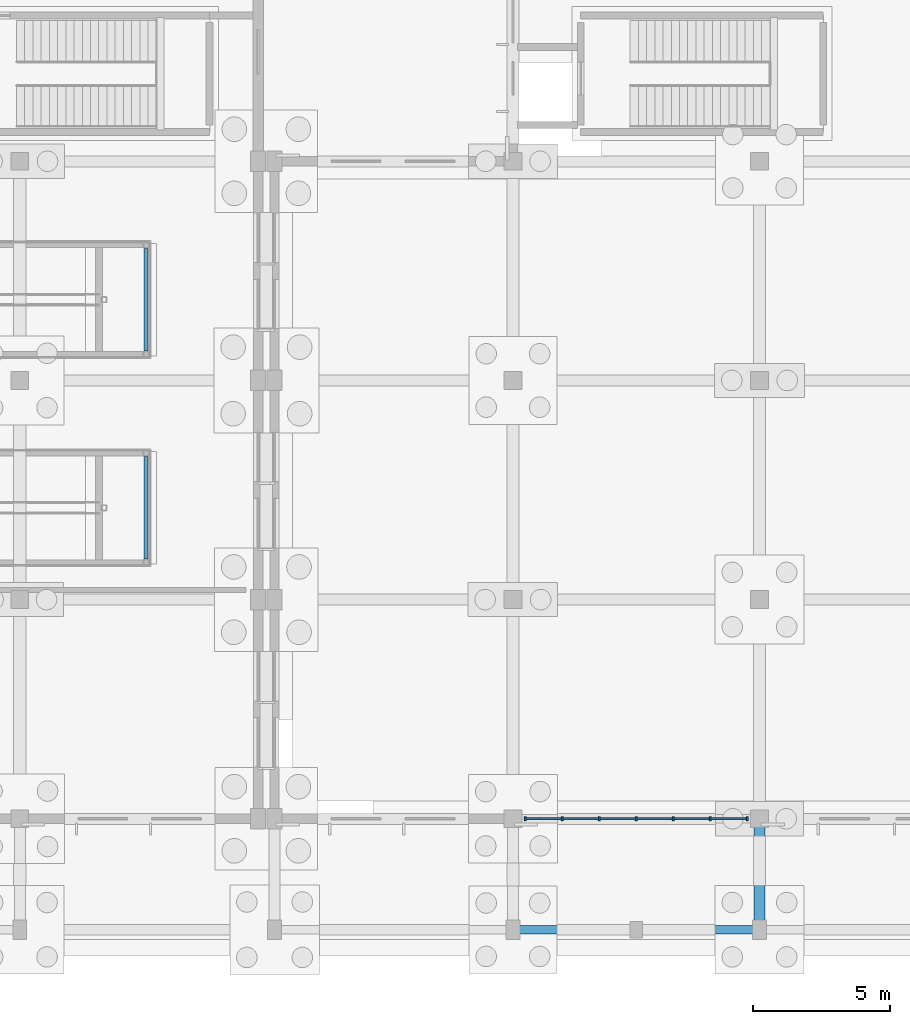
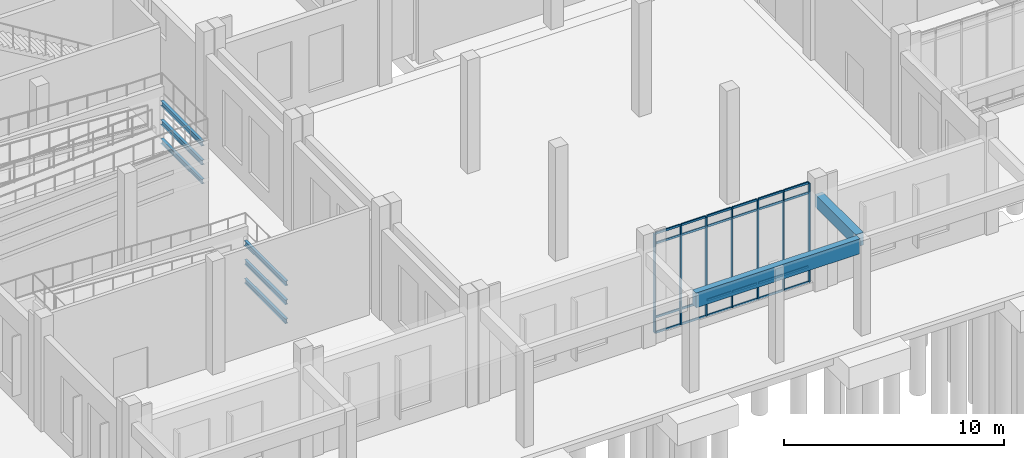
# One storey, part 38 of 99: 31 members, 8 beams, 1 element without a shape of its own.
"""IFC4 building model written with IfcOpenShell, lengths in metres."""

from ifc_helpers import new_model, si_unit, direction, frame, origin, origin_2d, place, context, subcontext, project, spatial, rectangle, i_section, extrude, material, layer, layer_set, material_profile, profile_set, type_object, element, aggregate, save


model = new_model("IFC4")

# Units and contexts
model_context = context("Model", 3, precision=1e-05, world=origin(), true_north=direction((0.0, 1.0)))
body_context = subcontext(model_context, "Body", "Model", "MODEL_VIEW")
ifc_project = project(units=[si_unit("LENGTHUNIT", "METRE"), si_unit("AREAUNIT", "SQUARE_METRE"), si_unit("VOLUMEUNIT", "CUBIC_METRE"), si_unit("PLANEANGLEUNIT", "RADIAN"), si_unit("MASSUNIT", "GRAM", prefix="KILO")], contexts=[model_context])

# Site, building, storey
site_placement = place(None, origin())
site = spatial("IfcSite", under=ifc_project, at=site_placement, CompositionType="ELEMENT")
building_placement = place(site_placement, origin())
building = spatial("IfcBuilding", under=site, at=building_placement, Name="Zacnel Wholesale Market", CompositionType="ELEMENT")
storey_placement = place(building_placement, origin())
storey = spatial("IfcBuildingStorey", under=building, at=storey_placement, Name="L01", CompositionType="ELEMENT", Elevation=0.0)

# Beams
ifc_material_1 = material(Name="Precast concrete C45/55", Category="concrete")
ifc_material_profile_1 = material_profile(ifc_material_1, rectangle(XDim=0.39990234375, YDim=0.699951171875, at=origin_2d()), Name="PG 400x700")
ifc_profile_set_1 = profile_set([ifc_material_profile_1], Name="Precast concrete C45/55")
beam_type_1 = type_object("IfcBeamType", Name="BM-PG700", PredefinedType="BEAM", material=ifc_profile_set_1)
beam_1_placement = place(storey_placement, frame((90.0, -3.830078125, 4.925048828125), z_axis=(0.0, 1.0, 0.0), x_axis=(-1.0, 0.0, 0.0)))
element("IfcBeam", 1, at=beam_1_placement, inside=storey, type_object=beam_type_1, Name="Boulevard colonnade cross-beam 05", PredefinedType="BEAM", context=body_context, shape_type="SweptSolid", body=[
    extrude(rectangle(XDim=0.39990234375, YDim=0.699951171875, at=origin_2d()), origin(), (0.0, 0.0, 1.0), 3.7099609375),
])
ifc_material_2 = material(Name="Precast concrete C45/55", Category="concrete")
ifc_material_profile_2 = material_profile(ifc_material_2, rectangle(XDim=0.320068359375, YDim=0.820068359375, at=origin_2d()), Name="SP 320x820")
ifc_profile_set_2 = profile_set([ifc_material_profile_2], Name="Precast concrete C45/55")
beam_type_2 = type_object("IfcBeamType", Name="BM-SP820", PredefinedType="SPANDREL", material=ifc_profile_set_2)
beam_2_placement = place(storey_placement, frame((81.199951171875, -4.050048828125, 4.864990234375), z_axis=(1.0, 0.0, 0.0), x_axis=(0.0, 1.0, 0.0)))
element("IfcBeam", 2, at=beam_2_placement, inside=storey, type_object=beam_type_2, Name="Boulevard colonnade architrave 04", PredefinedType="SPANDREL", context=body_context, shape_type="SweptSolid", body=[
    extrude(rectangle(XDim=0.320068359375, YDim=0.820068359375, at=origin_2d()), origin(), (0.0, 0.0, 1.0), 8.60009765625),
])
ifc_material_3 = material(Name="Steel S355", Category="steel")
ifc_material_profile_3 = material_profile(ifc_material_3, i_section(OverallWidth=0.14599609375, OverallDepth=0.258056640625, WebThickness=0.006103515625, FlangeThickness=0.009033203125, FilletRadius=0.009033203125, at=origin_2d()), Name="W250X32.7")
ifc_profile_set_3 = profile_set([ifc_material_profile_3], Name="Steel S355")
beam_type_3 = type_object("IfcBeamType", Name="BM-STL-W250", PredefinedType="JOIST", material=ifc_profile_set_3)
for number, where, z_axis, x_axis, name in (
    (3, (67.612060546875, 9.47998046875, 0.179931640625), (0.0, 1.0, 0.0), (-1.0, 0.0, 0.0), "Accessible ramp RP-03 (RMP-PROM-1A) landing edge beam 1"),
    (4, (67.612060546875, 9.47998046875, 1.22998046875), (0.0, 1.0, 0.0), (-1.0, 0.0, 0.0), "Accessible ramp RP-03 (RMP-PROM-1A) landing edge beam 3"),
    (5, (67.612060546875, 9.47998046875, 2.280029296875), (0.0, 1.0, 0.0), (-1.0, 0.0, 0.0), "Accessible ramp RP-03 (RMP-PROM-1A) landing edge beam 5"),
    (6, (67.612060546875, 17.080078125, 3.330078125), (0.0, 1.0, 0.0), (-1.0, 0.0, 0.0), "Accessible ramp RP-03 (RMP-PROM-1B) landing edge beam 1"),
    (7, (67.612060546875, 17.080078125, 4.3798828125), (0.0, 1.0, 0.0), (-1.0, 0.0, 0.0), "Accessible ramp RP-03 (RMP-PROM-1B) landing edge beam 3"),
    (8, (67.612060546875, 17.080078125, 5.429931640625), (0.0, 1.0, 0.0), (-1.0, 0.0, 0.0), "Accessible ramp RP-03 (RMP-PROM-1B) landing edge beam 5"),
):
    element("IfcBeam", number, at=place(storey_placement, frame(where, z_axis=z_axis, x_axis=x_axis)), inside=storey, type_object=beam_type_3, Name=name, PredefinedType="JOIST", context=body_context, shape_type="SweptSolid", body=[
        extrude(i_section(OverallWidth=0.14599609375, OverallDepth=0.258056640625, WebThickness=0.006103515625, FlangeThickness=0.009033203125, FilletRadius=0.009033203125, at=origin_2d()), origin(), (0.0, 0.0, 1.0), 3.739990234375),
    ])

# Curtain wall, members
ifc_material_4 = material(Name="Anodised aluminium", Category="aluminium")
ifc_layer = layer(ifc_material_4, 0.159912109375)
ifc_layer_set = layer_set([ifc_layer], Name="Anodised aluminium")
curtain_wall_type = type_object("IfcCurtainWallType", Name="CW-TERR-3900", PredefinedType="NOTDEFINED", material=ifc_layer_set)
curtain_wall_placement = place(storey_placement, origin())
curtain_wall = element("IfcCurtainWall", 9, at=curtain_wall_placement, inside=storey, type_object=curtain_wall_type, Name="Curtain wall ENV-R2-CW-L01-001", PredefinedType="NOTDEFINED")
ifc_material_5 = material(Name="Anodised aluminium", Category="aluminium")
ifc_material_profile_4 = material_profile(ifc_material_5, rectangle(XDim=0.06494140625, YDim=0.14990234375, at=origin_2d()), Name="AW-MULLION 65x150")
ifc_profile_set_4 = profile_set([ifc_material_profile_4], Name="Anodised aluminium")
member_type_1 = type_object("IfcMemberType", Name="CWM-MUL-05", PredefinedType="MULLION", material=ifc_profile_set_4)
member_1_placement = place(storey_placement, frame((81.449951171875, 0.0, 0.449951171875), z_axis=(0.0, 0.0, 1.0), x_axis=(1.0, 0.0, 0.0)))
member_1 = element("IfcMember", 10, at=member_1_placement, type_object=member_type_1, Name="ENV-R2-CW-L01-001 mullion 01", PredefinedType="MULLION", context=body_context, shape_type="SweptSolid", body=[
    extrude(rectangle(XDim=0.06494140625, YDim=0.14990234375, at=origin_2d()), origin(), (0.0, 0.0, 1.0), 5.5),
])
member_2_placement = place(storey_placement, frame((82.800048828125, 0.0, 0.449951171875), z_axis=(0.0, 0.0, 1.0), x_axis=(1.0, 0.0, 0.0)))
member_2 = element("IfcMember", 11, at=member_2_placement, type_object=member_type_1, Name="ENV-R2-CW-L01-001 mullion 02", PredefinedType="MULLION", context=body_context, shape_type="SweptSolid", body=[
    extrude(rectangle(XDim=0.06494140625, YDim=0.14990234375, at=origin_2d()), origin(), (0.0, 0.0, 1.0), 5.5),
])
member_3_placement = place(storey_placement, frame((84.14990234375, 0.0, 0.449951171875), z_axis=(0.0, 0.0, 1.0), x_axis=(1.0, 0.0, 0.0)))
member_3 = element("IfcMember", 12, at=member_3_placement, type_object=member_type_1, Name="ENV-R2-CW-L01-001 mullion 03", PredefinedType="MULLION", context=body_context, shape_type="SweptSolid", body=[
    extrude(rectangle(XDim=0.06494140625, YDim=0.14990234375, at=origin_2d()), origin(), (0.0, 0.0, 1.0), 5.5),
])
member_4_placement = place(storey_placement, frame((85.5, 0.0, 0.449951171875), z_axis=(0.0, 0.0, 1.0), x_axis=(1.0, 0.0, 0.0)))
member_4 = element("IfcMember", 13, at=member_4_placement, type_object=member_type_1, Name="ENV-R2-CW-L01-001 mullion 04", PredefinedType="MULLION", context=body_context, shape_type="SweptSolid", body=[
    extrude(rectangle(XDim=0.06494140625, YDim=0.14990234375, at=origin_2d()), origin(), (0.0, 0.0, 1.0), 5.5),
])
member_5_placement = place(storey_placement, frame((86.85009765625, 0.0, 0.449951171875), z_axis=(0.0, 0.0, 1.0), x_axis=(1.0, 0.0, 0.0)))
member_5 = element("IfcMember", 14, at=member_5_placement, type_object=member_type_1, Name="ENV-R2-CW-L01-001 mullion 05", PredefinedType="MULLION", context=body_context, shape_type="SweptSolid", body=[
    extrude(rectangle(XDim=0.06494140625, YDim=0.14990234375, at=origin_2d()), origin(), (0.0, 0.0, 1.0), 5.5),
])
member_6_placement = place(storey_placement, frame((88.199951171875, 0.0, 0.449951171875), z_axis=(0.0, 0.0, 1.0), x_axis=(1.0, 0.0, 0.0)))
member_6 = element("IfcMember", 15, at=member_6_placement, type_object=member_type_1, Name="ENV-R2-CW-L01-001 mullion 06", PredefinedType="MULLION", context=body_context, shape_type="SweptSolid", body=[
    extrude(rectangle(XDim=0.06494140625, YDim=0.14990234375, at=origin_2d()), origin(), (0.0, 0.0, 1.0), 5.5),
])
member_7_placement = place(storey_placement, frame((89.550048828125, 0.0, 0.449951171875), z_axis=(0.0, 0.0, 1.0), x_axis=(1.0, 0.0, 0.0)))
member_7 = element("IfcMember", 16, at=member_7_placement, type_object=member_type_1, Name="ENV-R2-CW-L01-001 mullion 07", PredefinedType="MULLION", context=body_context, shape_type="SweptSolid", body=[
    extrude(rectangle(XDim=0.06494140625, YDim=0.14990234375, at=origin_2d()), origin(), (0.0, 0.0, 1.0), 5.5),
])
ifc_material_6 = material(Name="Anodised aluminium", Category="aluminium")
ifc_material_profile_5 = material_profile(ifc_material_6, rectangle(XDim=0.06494140625, YDim=0.114990234375, at=origin_2d()), Name="AW-TRANSOM 65x115")
ifc_profile_set_5 = profile_set([ifc_material_profile_5], Name="Anodised aluminium")
member_type_2 = type_object("IfcMemberType", Name="CWM-TRN-05", PredefinedType="USERDEFINED", material=ifc_profile_set_5)
member_8_placement = place(storey_placement, frame((81.485107421875, 0.0, 0.449951171875), z_axis=(1.0, 0.0, 0.0), x_axis=(0.0, 1.0, 0.0)))
member_8 = element("IfcMember", 17, at=member_8_placement, type_object=member_type_2, Name="ENV-R2-CW-L01-001 transom 1-1", ObjectType="TRANSOM", PredefinedType="USERDEFINED", context=body_context, shape_type="SweptSolid", body=[
    extrude(rectangle(XDim=0.06494140625, YDim=0.114990234375, at=origin_2d()), origin(), (0.0, 0.0, 1.0), 1.27978515625),
])
member_9_placement = place(storey_placement, frame((81.485107421875, 0.0, 1.300048828125), z_axis=(1.0, 0.0, 0.0), x_axis=(0.0, 1.0, 0.0)))
member_9 = element("IfcMember", 18, at=member_9_placement, type_object=member_type_2, Name="ENV-R2-CW-L01-001 transom 1-2", ObjectType="TRANSOM", PredefinedType="USERDEFINED", context=body_context, shape_type="SweptSolid", body=[
    extrude(rectangle(XDim=0.06494140625, YDim=0.114990234375, at=origin_2d()), origin(), (0.0, 0.0, 1.0), 1.27978515625),
])
member_10_placement = place(storey_placement, frame((81.485107421875, 0.0, 5.39990234375), z_axis=(1.0, 0.0, 0.0), x_axis=(0.0, 1.0, 0.0)))
member_10 = element("IfcMember", 19, at=member_10_placement, type_object=member_type_2, Name="ENV-R2-CW-L01-001 transom 1-3", ObjectType="TRANSOM", PredefinedType="USERDEFINED", context=body_context, shape_type="SweptSolid", body=[
    extrude(rectangle(XDim=0.06494140625, YDim=0.114990234375, at=origin_2d()), origin(), (0.0, 0.0, 1.0), 1.27978515625),
])
member_11_placement = place(storey_placement, frame((81.485107421875, 0.0, 5.949951171875), z_axis=(1.0, 0.0, 0.0), x_axis=(0.0, 1.0, 0.0)))
member_11 = element("IfcMember", 20, at=member_11_placement, type_object=member_type_2, Name="ENV-R2-CW-L01-001 transom 1-4", ObjectType="TRANSOM", PredefinedType="USERDEFINED", context=body_context, shape_type="SweptSolid", body=[
    extrude(rectangle(XDim=0.06494140625, YDim=0.114990234375, at=origin_2d()), origin(), (0.0, 0.0, 1.0), 1.27978515625),
])
member_12_placement = place(storey_placement, frame((82.8349609375, 0.0, 0.449951171875), z_axis=(1.0, 0.0, 0.0), x_axis=(0.0, 1.0, 0.0)))
member_12 = element("IfcMember", 21, at=member_12_placement, type_object=member_type_2, Name="ENV-R2-CW-L01-001 transom 2-1", ObjectType="TRANSOM", PredefinedType="USERDEFINED", context=body_context, shape_type="SweptSolid", body=[
    extrude(rectangle(XDim=0.06494140625, YDim=0.114990234375, at=origin_2d()), origin(), (0.0, 0.0, 1.0), 1.280029296875),
])
member_13_placement = place(storey_placement, frame((82.8349609375, 0.0, 1.300048828125), z_axis=(1.0, 0.0, 0.0), x_axis=(0.0, 1.0, 0.0)))
member_13 = element("IfcMember", 22, at=member_13_placement, type_object=member_type_2, Name="ENV-R2-CW-L01-001 transom 2-2", ObjectType="TRANSOM", PredefinedType="USERDEFINED", context=body_context, shape_type="SweptSolid", body=[
    extrude(rectangle(XDim=0.06494140625, YDim=0.114990234375, at=origin_2d()), origin(), (0.0, 0.0, 1.0), 1.280029296875),
])
member_14_placement = place(storey_placement, frame((82.8349609375, 0.0, 5.39990234375), z_axis=(1.0, 0.0, 0.0), x_axis=(0.0, 1.0, 0.0)))
member_14 = element("IfcMember", 23, at=member_14_placement, type_object=member_type_2, Name="ENV-R2-CW-L01-001 transom 2-3", ObjectType="TRANSOM", PredefinedType="USERDEFINED", context=body_context, shape_type="SweptSolid", body=[
    extrude(rectangle(XDim=0.06494140625, YDim=0.114990234375, at=origin_2d()), origin(), (0.0, 0.0, 1.0), 1.280029296875),
])
member_15_placement = place(storey_placement, frame((82.8349609375, 0.0, 5.949951171875), z_axis=(1.0, 0.0, 0.0), x_axis=(0.0, 1.0, 0.0)))
member_15 = element("IfcMember", 24, at=member_15_placement, type_object=member_type_2, Name="ENV-R2-CW-L01-001 transom 2-4", ObjectType="TRANSOM", PredefinedType="USERDEFINED", context=body_context, shape_type="SweptSolid", body=[
    extrude(rectangle(XDim=0.06494140625, YDim=0.114990234375, at=origin_2d()), origin(), (0.0, 0.0, 1.0), 1.280029296875),
])
member_16_placement = place(storey_placement, frame((84.18505859375, 0.0, 0.449951171875), z_axis=(1.0, 0.0, 0.0), x_axis=(0.0, 1.0, 0.0)))
member_16 = element("IfcMember", 25, at=member_16_placement, type_object=member_type_2, Name="ENV-R2-CW-L01-001 transom 3-1", ObjectType="TRANSOM", PredefinedType="USERDEFINED", context=body_context, shape_type="SweptSolid", body=[
    extrude(rectangle(XDim=0.06494140625, YDim=0.114990234375, at=origin_2d()), origin(), (0.0, 0.0, 1.0), 1.280029296875),
])
member_17_placement = place(storey_placement, frame((84.18505859375, 0.0, 1.300048828125), z_axis=(1.0, 0.0, 0.0), x_axis=(0.0, 1.0, 0.0)))
member_17 = element("IfcMember", 26, at=member_17_placement, type_object=member_type_2, Name="ENV-R2-CW-L01-001 transom 3-2", ObjectType="TRANSOM", PredefinedType="USERDEFINED", context=body_context, shape_type="SweptSolid", body=[
    extrude(rectangle(XDim=0.06494140625, YDim=0.114990234375, at=origin_2d()), origin(), (0.0, 0.0, 1.0), 1.280029296875),
])
member_18_placement = place(storey_placement, frame((84.18505859375, 0.0, 5.39990234375), z_axis=(1.0, 0.0, 0.0), x_axis=(0.0, 1.0, 0.0)))
member_18 = element("IfcMember", 27, at=member_18_placement, type_object=member_type_2, Name="ENV-R2-CW-L01-001 transom 3-3", ObjectType="TRANSOM", PredefinedType="USERDEFINED", context=body_context, shape_type="SweptSolid", body=[
    extrude(rectangle(XDim=0.06494140625, YDim=0.114990234375, at=origin_2d()), origin(), (0.0, 0.0, 1.0), 1.280029296875),
])
member_19_placement = place(storey_placement, frame((84.18505859375, 0.0, 5.949951171875), z_axis=(1.0, 0.0, 0.0), x_axis=(0.0, 1.0, 0.0)))
member_19 = element("IfcMember", 28, at=member_19_placement, type_object=member_type_2, Name="ENV-R2-CW-L01-001 transom 3-4", ObjectType="TRANSOM", PredefinedType="USERDEFINED", context=body_context, shape_type="SweptSolid", body=[
    extrude(rectangle(XDim=0.06494140625, YDim=0.114990234375, at=origin_2d()), origin(), (0.0, 0.0, 1.0), 1.280029296875),
])
member_20_placement = place(storey_placement, frame((85.534912109375, 0.0, 0.449951171875), z_axis=(1.0, 0.0, 0.0), x_axis=(0.0, 1.0, 0.0)))
member_20 = element("IfcMember", 29, at=member_20_placement, type_object=member_type_2, Name="ENV-R2-CW-L01-001 transom 4-1", ObjectType="TRANSOM", PredefinedType="USERDEFINED", context=body_context, shape_type="SweptSolid", body=[
    extrude(rectangle(XDim=0.06494140625, YDim=0.114990234375, at=origin_2d()), origin(), (0.0, 0.0, 1.0), 1.280029296875),
])
member_21_placement = place(storey_placement, frame((85.534912109375, 0.0, 1.300048828125), z_axis=(1.0, 0.0, 0.0), x_axis=(0.0, 1.0, 0.0)))
member_21 = element("IfcMember", 30, at=member_21_placement, type_object=member_type_2, Name="ENV-R2-CW-L01-001 transom 4-2", ObjectType="TRANSOM", PredefinedType="USERDEFINED", context=body_context, shape_type="SweptSolid", body=[
    extrude(rectangle(XDim=0.06494140625, YDim=0.114990234375, at=origin_2d()), origin(), (0.0, 0.0, 1.0), 1.280029296875),
])
member_22_placement = place(storey_placement, frame((85.534912109375, 0.0, 5.39990234375), z_axis=(1.0, 0.0, 0.0), x_axis=(0.0, 1.0, 0.0)))
member_22 = element("IfcMember", 31, at=member_22_placement, type_object=member_type_2, Name="ENV-R2-CW-L01-001 transom 4-3", ObjectType="TRANSOM", PredefinedType="USERDEFINED", context=body_context, shape_type="SweptSolid", body=[
    extrude(rectangle(XDim=0.06494140625, YDim=0.114990234375, at=origin_2d()), origin(), (0.0, 0.0, 1.0), 1.280029296875),
])
member_23_placement = place(storey_placement, frame((85.534912109375, 0.0, 5.949951171875), z_axis=(1.0, 0.0, 0.0), x_axis=(0.0, 1.0, 0.0)))
member_23 = element("IfcMember", 32, at=member_23_placement, type_object=member_type_2, Name="ENV-R2-CW-L01-001 transom 4-4", ObjectType="TRANSOM", PredefinedType="USERDEFINED", context=body_context, shape_type="SweptSolid", body=[
    extrude(rectangle(XDim=0.06494140625, YDim=0.114990234375, at=origin_2d()), origin(), (0.0, 0.0, 1.0), 1.280029296875),
])
member_24_placement = place(storey_placement, frame((86.885009765625, 0.0, 0.449951171875), z_axis=(1.0, 0.0, 0.0), x_axis=(0.0, 1.0, 0.0)))
member_24 = element("IfcMember", 33, at=member_24_placement, type_object=member_type_2, Name="ENV-R2-CW-L01-001 transom 5-1", ObjectType="TRANSOM", PredefinedType="USERDEFINED", context=body_context, shape_type="SweptSolid", body=[
    extrude(rectangle(XDim=0.06494140625, YDim=0.114990234375, at=origin_2d()), origin(), (0.0, 0.0, 1.0), 1.280029296875),
])
member_25_placement = place(storey_placement, frame((86.885009765625, 0.0, 1.300048828125), z_axis=(1.0, 0.0, 0.0), x_axis=(0.0, 1.0, 0.0)))
member_25 = element("IfcMember", 34, at=member_25_placement, type_object=member_type_2, Name="ENV-R2-CW-L01-001 transom 5-2", ObjectType="TRANSOM", PredefinedType="USERDEFINED", context=body_context, shape_type="SweptSolid", body=[
    extrude(rectangle(XDim=0.06494140625, YDim=0.114990234375, at=origin_2d()), origin(), (0.0, 0.0, 1.0), 1.280029296875),
])
member_26_placement = place(storey_placement, frame((86.885009765625, 0.0, 5.39990234375), z_axis=(1.0, 0.0, 0.0), x_axis=(0.0, 1.0, 0.0)))
member_26 = element("IfcMember", 35, at=member_26_placement, type_object=member_type_2, Name="ENV-R2-CW-L01-001 transom 5-3", ObjectType="TRANSOM", PredefinedType="USERDEFINED", context=body_context, shape_type="SweptSolid", body=[
    extrude(rectangle(XDim=0.06494140625, YDim=0.114990234375, at=origin_2d()), origin(), (0.0, 0.0, 1.0), 1.280029296875),
])
member_27_placement = place(storey_placement, frame((86.885009765625, 0.0, 5.949951171875), z_axis=(1.0, 0.0, 0.0), x_axis=(0.0, 1.0, 0.0)))
member_27 = element("IfcMember", 36, at=member_27_placement, type_object=member_type_2, Name="ENV-R2-CW-L01-001 transom 5-4", ObjectType="TRANSOM", PredefinedType="USERDEFINED", context=body_context, shape_type="SweptSolid", body=[
    extrude(rectangle(XDim=0.06494140625, YDim=0.114990234375, at=origin_2d()), origin(), (0.0, 0.0, 1.0), 1.280029296875),
])
member_28_placement = place(storey_placement, frame((88.235107421875, 0.0, 0.449951171875), z_axis=(1.0, 0.0, 0.0), x_axis=(0.0, 1.0, 0.0)))
member_28 = element("IfcMember", 37, at=member_28_placement, type_object=member_type_2, Name="ENV-R2-CW-L01-001 transom 6-1", ObjectType="TRANSOM", PredefinedType="USERDEFINED", context=body_context, shape_type="SweptSolid", body=[
    extrude(rectangle(XDim=0.06494140625, YDim=0.114990234375, at=origin_2d()), origin(), (0.0, 0.0, 1.0), 1.27978515625),
])
member_29_placement = place(storey_placement, frame((88.235107421875, 0.0, 1.300048828125), z_axis=(1.0, 0.0, 0.0), x_axis=(0.0, 1.0, 0.0)))
member_29 = element("IfcMember", 38, at=member_29_placement, type_object=member_type_2, Name="ENV-R2-CW-L01-001 transom 6-2", ObjectType="TRANSOM", PredefinedType="USERDEFINED", context=body_context, shape_type="SweptSolid", body=[
    extrude(rectangle(XDim=0.06494140625, YDim=0.114990234375, at=origin_2d()), origin(), (0.0, 0.0, 1.0), 1.27978515625),
])
member_30_placement = place(storey_placement, frame((88.235107421875, 0.0, 5.39990234375), z_axis=(1.0, 0.0, 0.0), x_axis=(0.0, 1.0, 0.0)))
member_30 = element("IfcMember", 39, at=member_30_placement, type_object=member_type_2, Name="ENV-R2-CW-L01-001 transom 6-3", ObjectType="TRANSOM", PredefinedType="USERDEFINED", context=body_context, shape_type="SweptSolid", body=[
    extrude(rectangle(XDim=0.06494140625, YDim=0.114990234375, at=origin_2d()), origin(), (0.0, 0.0, 1.0), 1.27978515625),
])
member_31_placement = place(storey_placement, frame((88.235107421875, 0.0, 5.949951171875), z_axis=(1.0, 0.0, 0.0), x_axis=(0.0, 1.0, 0.0)))
member_31 = element("IfcMember", 40, at=member_31_placement, type_object=member_type_2, Name="ENV-R2-CW-L01-001 transom 6-4", ObjectType="TRANSOM", PredefinedType="USERDEFINED", context=body_context, shape_type="SweptSolid", body=[
    extrude(rectangle(XDim=0.06494140625, YDim=0.114990234375, at=origin_2d()), origin(), (0.0, 0.0, 1.0), 1.27978515625),
])
aggregate(curtain_wall, [member_1, member_2, member_3, member_4, member_5, member_6, member_7, member_8, member_9, member_10, member_11, member_12, member_13, member_14, member_15, member_16, member_17, member_18, member_19, member_20, member_21, member_22, member_23, member_24, member_25, member_26, member_27, member_28, member_29, member_30, member_31])

save(model, "model.ifc")
